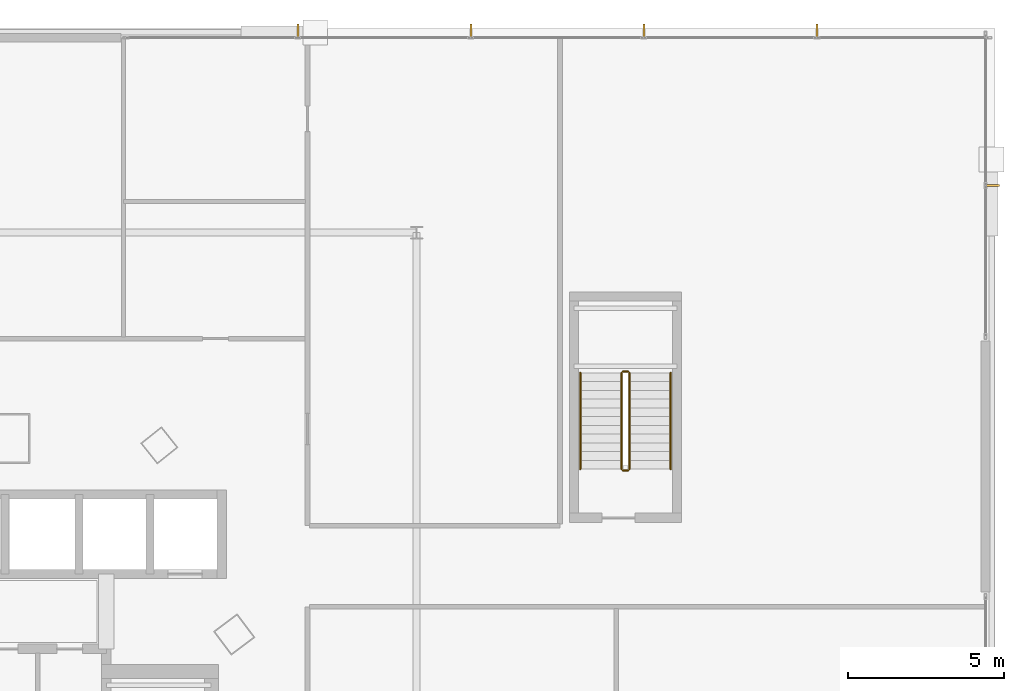
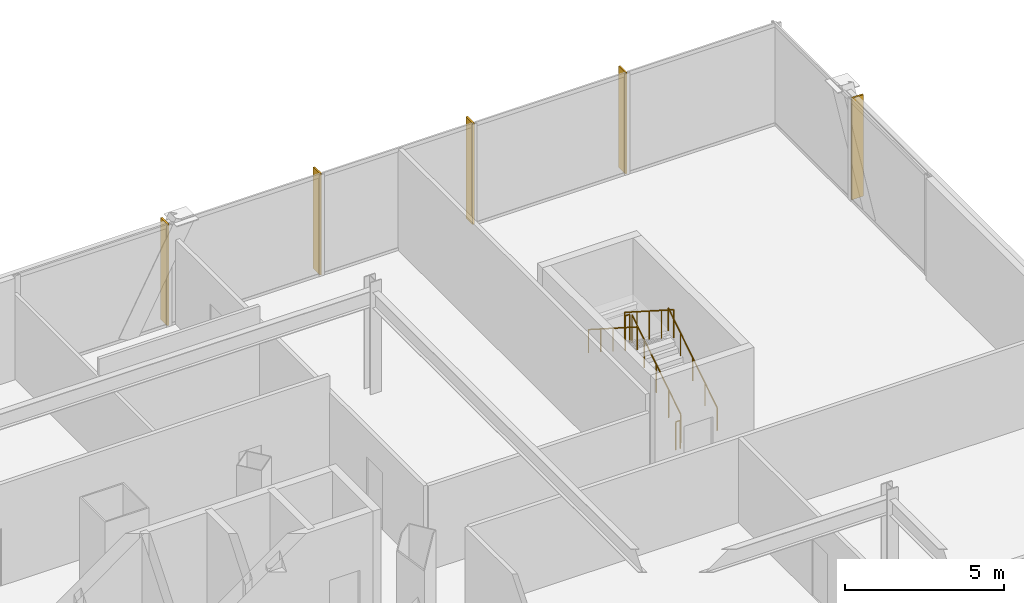
# One storey, part 46 of 46: 6 railings, 5 shading devices.
"""IFC4 building model written with IfcOpenShell, lengths in metres."""

from ifc_helpers import new_model, si_unit, direction, frame, origin, origin_2d, place, context, subcontext, project, spatial, rectangle, circle, extrude, material, layer, layer_set, type_object, element, save


model = new_model("IFC4")

# Units and contexts
model_context = context("Model", 3, precision=1e-05, world=origin(), true_north=direction((0.0, 1.0)))
body_context = subcontext(model_context, "Body", "Model", "MODEL_VIEW")
ifc_project = project(units=[si_unit("LENGTHUNIT", "METRE"), si_unit("AREAUNIT", "SQUARE_METRE"), si_unit("VOLUMEUNIT", "CUBIC_METRE"), si_unit("PLANEANGLEUNIT", "RADIAN"), si_unit("MASSUNIT", "GRAM", prefix="KILO")], contexts=[model_context])

# Site, building, storey
site_placement = place(None, origin())
site = spatial("IfcSite", under=ifc_project, at=site_placement, CompositionType="ELEMENT")
building_placement = place(site_placement, origin())
building = spatial("IfcBuilding", under=site, at=building_placement, Name="Orvanel Arch Residences", CompositionType="ELEMENT")
storey_placement = place(building_placement, frame((0.0, 0.0, 14.10009765625)))
storey = spatial("IfcBuildingStorey", under=building, at=storey_placement, Name="L03", CompositionType="ELEMENT", Elevation=14.10009765625)

# Shading devices
ifc_material_1 = material(Name="Bronze-anodised aluminium AA6063-T6", Category="aluminium")
ifc_layer = layer(ifc_material_1, 0.06494140625)
ifc_layer_set = layer_set([ifc_layer], Name="Bronze-anodised aluminium AA6063-T6")
shading_device_type = type_object("IfcShadingDeviceType", Name="FIN-BRZ-420", PredefinedType="USERDEFINED", material=ifc_layer_set)
for number, where, z_axis, x_axis, name in (
    (1, (59.0400390625, 54.489013671875, 0.0), (0.0, 0.0, 1.0), (0.0, 1.0, 0.0), "L03 Anodised Bronze Mullion FIN 01"),
    (2, (53.489990234375, 54.489013671875, 0.0), (0.0, 0.0, 1.0), (0.0, 1.0, 0.0), "L03 Anodised Bronze Mullion FIN 02"),
    (3, (47.93994140625, 54.489013671875, 0.0), (0.0, 0.0, 1.0), (0.0, 1.0, 0.0), "L03 Anodised Bronze Mullion FIN 03"),
    (4, (42.389892578125, 54.489013671875, 0.0), (0.0, 0.0, 1.0), (0.0, 1.0, 0.0), "L03 Anodised Bronze Mullion FIN 04"),
    (5, (64.68994140625, 49.514892578125, 0.0), (0.0, 0.0, 1.0), (1.0, 0.0, 0.0), "L03 Anodised Bronze Mullion FIN 01"),
):
    element("IfcShadingDevice", number, at=place(storey_placement, frame(where, z_axis=z_axis, x_axis=x_axis)), inside=storey, type_object=shading_device_type, Name=name, ObjectType="FIN", PredefinedType="USERDEFINED", context=body_context, shape_type="SweptSolid", body=[
        extrude(rectangle(XDim=0.419921875, YDim=0.06494140625, at=origin_2d()), origin(), (0.0, 0.0, 1.0), 3.89990234375),
    ])

# Railings
ifc_material_2 = material(Name="Structural steel AS/NZS 1163 C350L0 (Grade 350)", Category="steel")
railing_type_1 = type_object("IfcRailingType", Name="RL-STAIR-GUARD", PredefinedType="GUARDRAIL", material=ifc_material_2)
railing_1_placement = place(storey_placement, frame((53.030029296875, 40.419921875, 0.178955078125)))
element("IfcRailing", 6, at=railing_1_placement, inside=storey, type_object=railing_type_1, Name="L03 ST-4 stair guard 1", PredefinedType="GUARDRAIL", context=body_context, shape_type="SweptSolid", body=[
    extrude(circle(Radius=0.02392578125, at=origin_2d()), frame((0.0, 0.001220703125, 1.076904296875), z_axis=(0.0, 0.842308987159, 0.53899496301), x_axis=(-1.0, 0.0, 0.0)), (0.0, 0.0, 1.0), 3.65380859375),
    extrude(circle(Radius=0.02099609375, at=origin_2d()), origin(), (0.0, 0.0, 1.0), 1.050048828125),
    extrude(circle(Radius=0.02099609375, at=origin_2d()), frame((0.0, 0.77001953125, 0.49267578125)), (0.0, 0.0, 1.0), 1.050048828125),
    extrude(circle(Radius=0.02099609375, at=origin_2d()), frame((0.0, 1.5400390625, 0.9853515625)), (0.0, 0.0, 1.0), 1.050048828125),
    extrude(circle(Radius=0.02099609375, at=origin_2d()), frame((0.0, 2.31005859375, 1.478271484375)), (0.0, 0.0, 1.0), 1.050048828125),
    extrude(circle(Radius=0.02099609375, at=origin_2d()), frame((0.0, 3.080078125, 1.970947265625)), (0.0, 0.0, 1.0), 1.050048828125),
])
railing_2_placement = place(storey_placement, frame((52.97998046875, 43.550048828125, 2.14990234375)))
element("IfcRailing", 7, at=railing_2_placement, inside=storey, type_object=railing_type_1, Name="L03 ST-4 stair guard 2", PredefinedType="GUARDRAIL", context=body_context, shape_type="SweptSolid", body=[
    extrude(circle(Radius=0.02392578125, at=origin_2d()), frame((-0.00146484375, 0.0, 1.076171875), z_axis=(-1.0, 0.0, 0.0), x_axis=(0.0, -1.0, 0.0)), (0.0, 0.0, 1.0), 0.156982421875),
    extrude(circle(Radius=0.02099609375, at=origin_2d()), origin(), (0.0, 0.0, 1.0), 1.050048828125),
    extrude(circle(Radius=0.02099609375, at=origin_2d()), frame((-0.159912109375, 0.0, 0.0)), (0.0, 0.0, 1.0), 1.050048828125),
])
railing_3_placement = place(storey_placement, frame((52.77001953125, 43.5, 2.3291015625)))
element("IfcRailing", 8, at=railing_3_placement, inside=storey, type_object=railing_type_1, Name="L03 ST-4 stair guard 3", PredefinedType="GUARDRAIL", context=body_context, shape_type="SweptSolid", body=[
    extrude(circle(Radius=0.02392578125, at=origin_2d()), frame((0.0, -0.001220703125, 1.076904296875), z_axis=(0.0, -0.842339298311, 0.538947591627), x_axis=(1.0, 0.0, 0.0)), (0.0, 0.0, 1.0), 3.653564453125),
    extrude(circle(Radius=0.02099609375, at=origin_2d()), origin(), (0.0, 0.0, 1.0), 1.050048828125),
    extrude(circle(Radius=0.02099609375, at=origin_2d()), frame((0.0, -0.77001953125, 0.49267578125)), (0.0, 0.0, 1.0), 1.050048828125),
    extrude(circle(Radius=0.02099609375, at=origin_2d()), frame((0.0, -1.5400390625, 0.9853515625)), (0.0, 0.0, 1.0), 1.050048828125),
    extrude(circle(Radius=0.02099609375, at=origin_2d()), frame((0.0, -2.31005859375, 1.47802734375)), (0.0, 0.0, 1.0), 1.050048828125),
    extrude(circle(Radius=0.02099609375, at=origin_2d()), frame((0.0, -3.080078125, 1.970703125)), (0.0, 0.0, 1.0), 1.050048828125),
])
railing_4_placement = place(storey_placement, frame((52.97998046875, 40.3701171875, 0.0)))
element("IfcRailing", 9, at=railing_4_placement, inside=storey, type_object=railing_type_1, Name="L03 ST-4 stair guard 4", PredefinedType="GUARDRAIL", context=body_context, shape_type="SweptSolid", body=[
    extrude(circle(Radius=0.02392578125, at=origin_2d()), frame((-0.00146484375, 0.0, 1.076171875), z_axis=(-1.0, 0.0, 0.0), x_axis=(0.0, -1.0, 0.0)), (0.0, 0.0, 1.0), 0.156982421875),
    extrude(circle(Radius=0.02099609375, at=origin_2d()), origin(), (0.0, 0.0, 1.0), 1.050048828125),
    extrude(circle(Radius=0.02099609375, at=origin_2d()), frame((-0.159912109375, 0.0, 0.0)), (0.0, 0.0, 1.0), 1.050048828125),
])
railing_type_2 = type_object("IfcRailingType", Name="RL-STAIR-HAND", PredefinedType="HANDRAIL", material=ifc_material_2)
railing_5_placement = place(storey_placement, frame((54.35009765625, 40.419921875, 0.178955078125)))
element("IfcRailing", 10, at=railing_5_placement, inside=storey, type_object=railing_type_2, Name="L03 ST-4 stair handrail 1", PredefinedType="HANDRAIL", context=body_context, shape_type="SweptSolid", body=[
    extrude(circle(Radius=0.02392578125, at=origin_2d()), frame((0.0, 0.001220703125, 0.876708984375), z_axis=(0.0, 0.842308987159, 0.53899496301), x_axis=(-1.0, 0.0, 0.0)), (0.0, 0.0, 1.0), 3.65380859375),
    extrude(circle(Radius=0.02099609375, at=origin_2d()), origin(), (0.0, 0.0, 1.0), 0.849853515625),
    extrude(circle(Radius=0.02099609375, at=origin_2d()), frame((0.0, 0.77001953125, 0.49267578125)), (0.0, 0.0, 1.0), 0.849853515625),
    extrude(circle(Radius=0.02099609375, at=origin_2d()), frame((0.0, 1.5400390625, 0.9853515625)), (0.0, 0.0, 1.0), 0.849853515625),
    extrude(circle(Radius=0.02099609375, at=origin_2d()), frame((0.0, 2.31005859375, 1.478271484375)), (0.0, 0.0, 1.0), 0.849853515625),
    extrude(circle(Radius=0.02099609375, at=origin_2d()), frame((0.0, 3.080078125, 1.970947265625)), (0.0, 0.0, 1.0), 0.849853515625),
])
railing_6_placement = place(storey_placement, frame((51.449951171875, 43.5, 2.3291015625)))
element("IfcRailing", 11, at=railing_6_placement, inside=storey, type_object=railing_type_2, Name="L03 ST-4 stair handrail 2", PredefinedType="HANDRAIL", context=body_context, shape_type="SweptSolid", body=[
    extrude(circle(Radius=0.02392578125, at=origin_2d()), frame((0.0, -0.001220703125, 0.876708984375), z_axis=(0.0, -0.842339298311, 0.538947591627), x_axis=(1.0, 0.0, 0.0)), (0.0, 0.0, 1.0), 3.653564453125),
    extrude(circle(Radius=0.02099609375, at=origin_2d()), origin(), (0.0, 0.0, 1.0), 0.849853515625),
    extrude(circle(Radius=0.02099609375, at=origin_2d()), frame((0.0, -0.77001953125, 0.49267578125)), (0.0, 0.0, 1.0), 0.849853515625),
    extrude(circle(Radius=0.02099609375, at=origin_2d()), frame((0.0, -1.5400390625, 0.9853515625)), (0.0, 0.0, 1.0), 0.849853515625),
    extrude(circle(Radius=0.02099609375, at=origin_2d()), frame((0.0, -2.31005859375, 1.47802734375)), (0.0, 0.0, 1.0), 0.849853515625),
    extrude(circle(Radius=0.02099609375, at=origin_2d()), frame((0.0, -3.080078125, 1.970703125)), (0.0, 0.0, 1.0), 0.849853515625),
])

save(model, "model.ifc")
